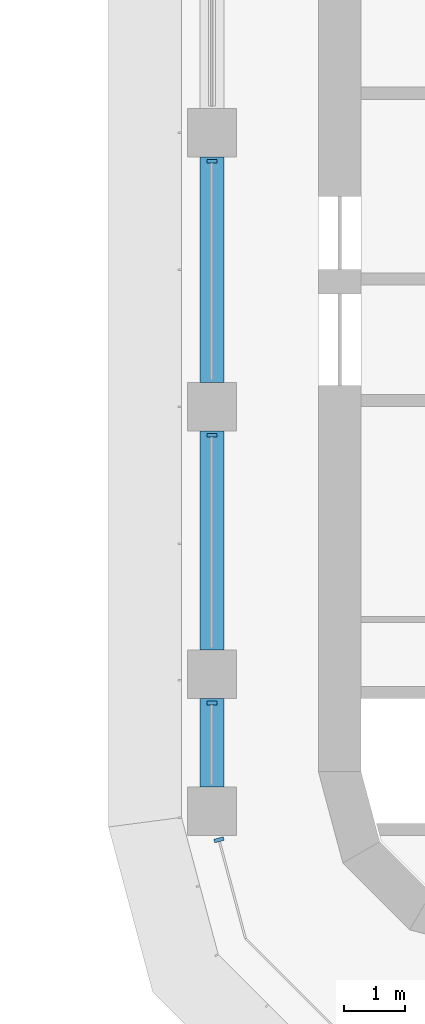
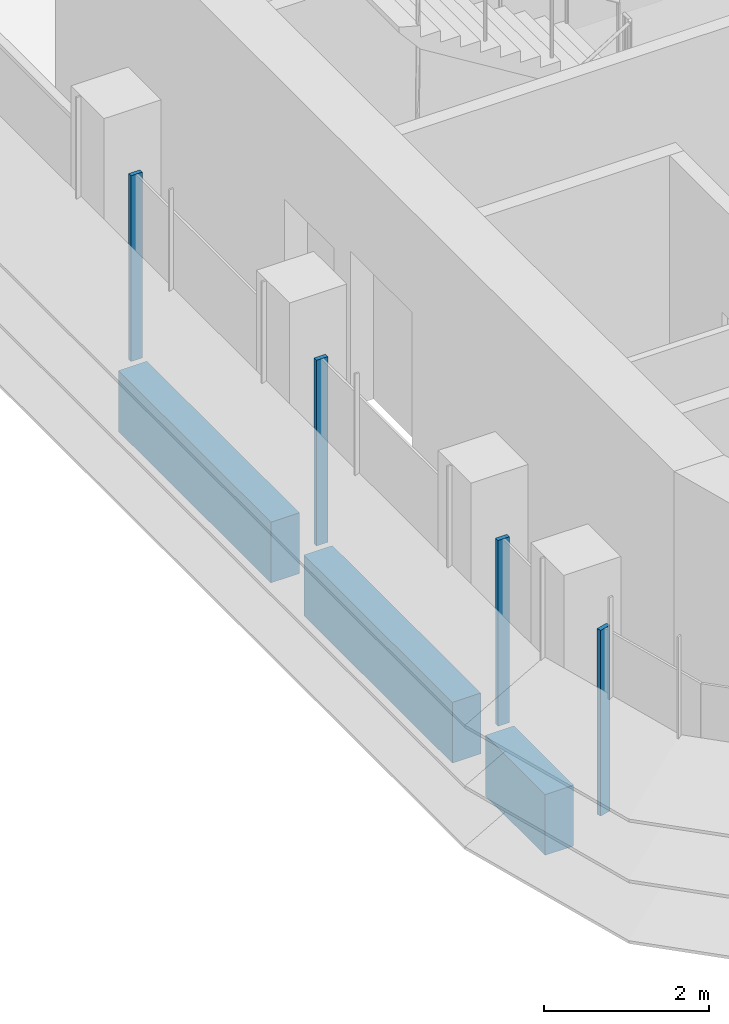
# One storey, part 2 of 19: 4 members, 3 beams, 2 elements without a shape of their own.
"""IFC4 building model written with IfcOpenShell, lengths in metres."""

from ifc_helpers import new_model, si_unit, direction, frame, origin, origin_2d, place, context, subcontext, project, spatial, polyline, rectangle, outline, extrude, source, transform, mapped, material, material_profile, profile_set, type_object, element, aggregate, save


model = new_model("IFC4")

# Units and contexts
model_context = context("Model", 3, precision=1e-05, world=origin(), true_north=direction((0.0, 1.0)))
body_context = subcontext(model_context, "Body", "Model", "MODEL_VIEW")
ifc_project = project(units=[si_unit("LENGTHUNIT", "METRE"), si_unit("AREAUNIT", "SQUARE_METRE"), si_unit("VOLUMEUNIT", "CUBIC_METRE"), si_unit("PLANEANGLEUNIT", "RADIAN"), si_unit("MASSUNIT", "GRAM", prefix="KILO")], contexts=[model_context])

# Site, building, storey
site_placement = place(None, origin())
site = spatial("IfcSite", under=ifc_project, at=site_placement, CompositionType="ELEMENT")
building_placement = place(site_placement, origin())
building = spatial("IfcBuilding", under=site, at=building_placement, Name="Zarbagh Exchange Tower", CompositionType="ELEMENT")
storey_placement = place(building_placement, frame((0.0, 0.0, 182.800048828125)))
storey = spatial("IfcBuildingStorey", under=building, at=storey_placement, Name="L44", CompositionType="ELEMENT", Elevation=182.800048828125)

# Beams
ifc_material_1 = material(Name="Concrete C50/60", Category="concrete")
ifc_material_profile = material_profile(ifc_material_1, rectangle(XDim=0.39990234375, YDim=0.89990234375, at=origin_2d()), Name="RC spandrel beam 400 x 900 C50/60")
ifc_profile_set = profile_set([ifc_material_profile], Name="Concrete C50/60")
beam_type = type_object("IfcBeamType", Name="RC spandrel beam 400 x 900 C50/60", PredefinedType="SPANDREL", material=ifc_profile_set)
beam_1_placement = place(storey_placement, frame((-6.25, -26.5, -0.60009765625), z_axis=(0.0, 1.0, 0.0), x_axis=(-1.0, 0.0, 0.0)))
element("IfcBeam", 1, at=beam_1_placement, inside=storey, type_object=beam_type, Name="RC spandrel beam", PredefinedType="SPANDREL", context=body_context, shape_type="SweptSolid", body=[
    extrude(rectangle(XDim=0.39990234375, YDim=0.89990234375, at=origin_2d()), origin(), (0.0, 0.0, 1.0), 1.449951171875),
])
beam_2_placement = place(storey_placement, frame((-6.25, -24.25, -0.60009765625), z_axis=(0.0, 1.0, 0.0), x_axis=(-1.0, 0.0, 0.0)))
element("IfcBeam", 2, at=beam_2_placement, inside=storey, type_object=beam_type, Name="RC spandrel beam", PredefinedType="SPANDREL", context=body_context, shape_type="SweptSolid", body=[
    extrude(rectangle(XDim=0.39990234375, YDim=0.89990234375, at=origin_2d()), origin(), (0.0, 0.0, 1.0), 3.60009765625),
])
beam_3_placement = place(storey_placement, frame((-6.25, -19.85009765625, -0.60009765625), z_axis=(0.0, 1.0, 0.0), x_axis=(-1.0, 0.0, 0.0)))
element("IfcBeam", 3, at=beam_3_placement, inside=storey, type_object=beam_type, Name="RC spandrel beam", PredefinedType="SPANDREL", context=body_context, shape_type="SweptSolid", body=[
    extrude(rectangle(XDim=0.39990234375, YDim=0.89990234375, at=origin_2d()), origin(), (0.0, 0.0, 1.0), 3.7001953125),
])

# Curtain wall, members
ifc_material_2 = material(Name="Anodised aluminium frame and glazing", Category="aluminium")
curtain_wall_type = type_object("IfcCurtainWallType", Name="CWB Ribbon glazing, upper zones", PredefinedType="NOTDEFINED", material=ifc_material_2)
curtain_wall_1_placement = place(storey_placement, origin())
curtain_wall_1 = element("IfcCurtainWall", 4, at=curtain_wall_1_placement, inside=storey, type_object=curtain_wall_type, Name="CWB53 curtain wall", PredefinedType="NOTDEFINED")
ifc_material_3 = material(Name="Anodised aluminium frame", Category="aluminium")
member_type = type_object("IfcMemberType", Name="MUB Mullion, anodised aluminium frame", PredefinedType="MULLION", material=ifc_material_3)
shared_shape = source(origin(), body_context, "Body", "SweptSolid", [
    extrude(outline(polyline([(0.0, -0.080078125), (0.06005859375, -0.080078125), (0.06005859375, 0.080078125), (0.0, 0.080078125), (0.0, -0.080078125)])), origin(), (0.0, 0.0, 1.0), 2.75),
])
placement = place(storey_placement, origin())
member_1 = element("IfcMember", 5, at=placement, type_object=member_type, Name="CWB53 mullion 2.1", PredefinedType="MULLION", context=body_context, shape_type="MappedRepresentation", body=[
    mapped(shared_shape, transform((-6.25, -16.18994140625, 0.0), x_axis=(0.0, -1.0, 0.0), y_axis=(1.0, 0.0, 0.0), z_axis=(0.0, 0.0, 1.0))),
])
member_2 = element("IfcMember", 6, at=placement, type_object=member_type, Name="CWB53 mullion 3.1", PredefinedType="MULLION", context=body_context, shape_type="MappedRepresentation", body=[
    mapped(shared_shape, transform((-6.25, -20.68994140625, 0.0), x_axis=(0.0, -1.0, 0.0), y_axis=(1.0, 0.0, 0.0), z_axis=(0.0, 0.0, 1.0))),
])
member_3 = element("IfcMember", 7, at=placement, type_object=member_type, Name="CWB53 mullion 4.1", PredefinedType="MULLION", context=body_context, shape_type="MappedRepresentation", body=[
    mapped(shared_shape, transform((-6.25, -25.090087890625, 0.0), x_axis=(0.0, -1.0, 0.0), y_axis=(1.0, 0.0, 0.0), z_axis=(0.0, 0.0, 1.0))),
])
aggregate(curtain_wall_1, [member_1, member_2, member_3])

# Curtain wall, member
curtain_wall_2_placement = place(storey_placement, origin())
curtain_wall_2 = element("IfcCurtainWall", 8, at=curtain_wall_2_placement, inside=storey, type_object=curtain_wall_type, Name="CWB54 curtain wall", PredefinedType="NOTDEFINED")
member_4 = element("IfcMember", 9, at=placement, type_object=member_type, Name="CWB54 mullion 1.1", PredefinedType="MULLION", context=body_context, shape_type="MappedRepresentation", body=[
    mapped(shared_shape, transform((-6.141357421875, -27.33984375, 0.0), x_axis=(0.258824779902, -0.965924289636, 0.0), y_axis=(0.965924289636, 0.258824779902, 0.0), z_axis=(0.0, 0.0, 1.0))),
])
aggregate(curtain_wall_2, [member_4])

save(model, "model.ifc")
